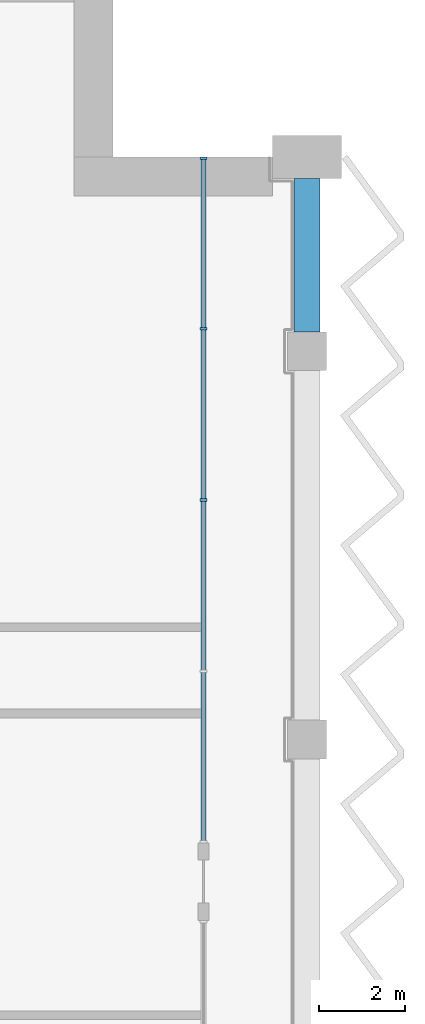
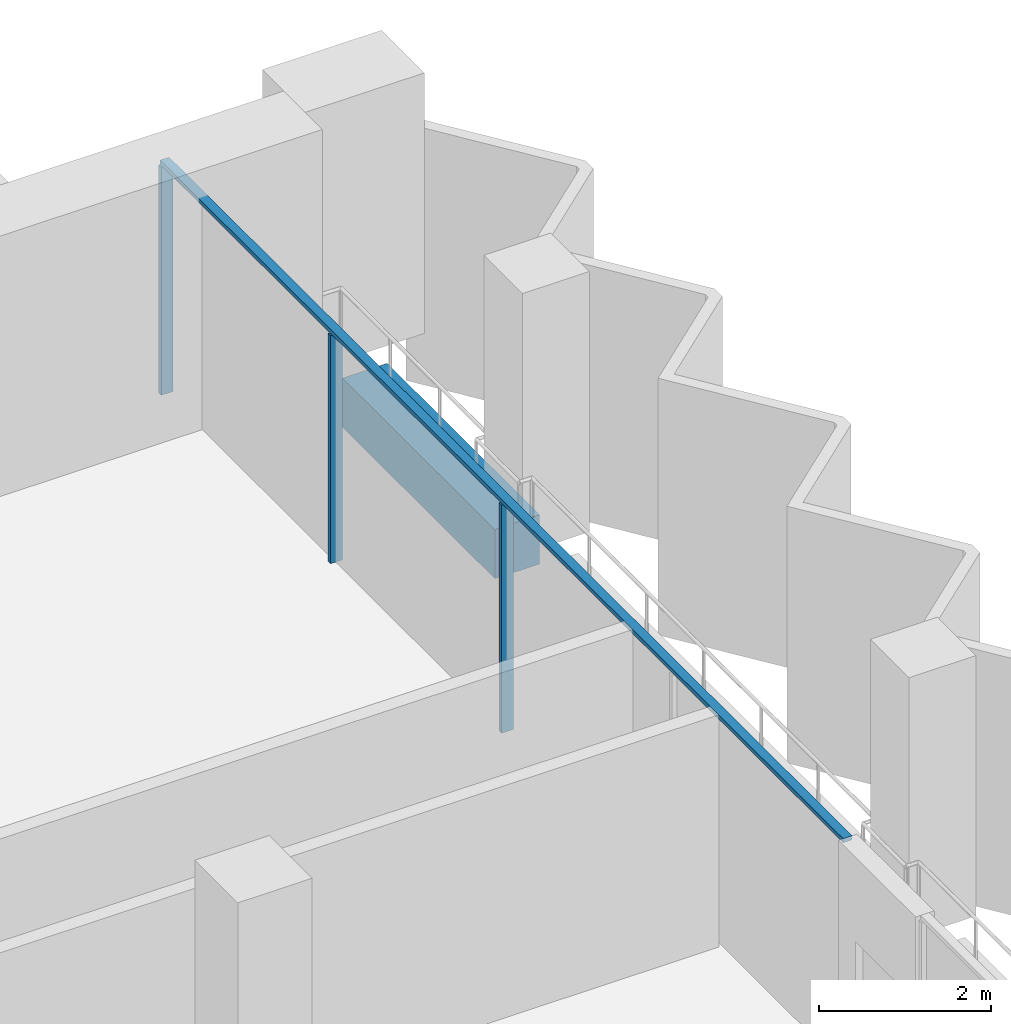
# One storey, part 5 of 16: 4 members, 1 beam, 1 element without a shape of its own.
"""IFC4 building model written with IfcOpenShell, lengths in metres."""

from ifc_helpers import new_model, si_unit, direction, frame, origin, origin_2d, place, context, subcontext, project, spatial, rectangle, extrude, material, material_profile, profile_set, type_object, element, aggregate, save


model = new_model("IFC4")

# Units and contexts
model_context = context("Model", 3, precision=1e-05, world=origin(), true_north=direction((0.0, 1.0)))
body_context = subcontext(model_context, "Body", "Model", "MODEL_VIEW")
ifc_project = project(units=[si_unit("LENGTHUNIT", "METRE"), si_unit("AREAUNIT", "SQUARE_METRE"), si_unit("VOLUMEUNIT", "CUBIC_METRE"), si_unit("PLANEANGLEUNIT", "RADIAN"), si_unit("MASSUNIT", "GRAM", prefix="KILO")], contexts=[model_context])

# Site, building, storey
site_placement = place(None, origin())
site = spatial("IfcSite", under=ifc_project, at=site_placement, CompositionType="ELEMENT")
building_placement = place(site_placement, origin())
building = spatial("IfcBuilding", under=site, at=building_placement, Name="Hunhe Ridgeline Campus", CompositionType="ELEMENT")
storey_placement = place(building_placement, frame((0.0, 0.0, 250.300048828125)))
storey = spatial("IfcBuildingStorey", under=building, at=storey_placement, Name="L64", CompositionType="ELEMENT", Elevation=250.300048828125)

# Curtain wall, members
ifc_material_1 = material(Name="Aluminium 6063", Category="aluminium")
curtain_wall_type = type_object("IfcCurtainWallType", Name="Curtain wall CW-1", PredefinedType="NOTDEFINED", material=ifc_material_1)
curtain_wall_placement = place(storey_placement, origin())
curtain_wall = element("IfcCurtainWall", 1, at=curtain_wall_placement, inside=storey, type_object=curtain_wall_type, Name="Curtain wall 13", PredefinedType="NOTDEFINED")
ifc_material_profile_1 = material_profile(ifc_material_1, rectangle(XDim=0.159912109375, YDim=0.06005859375, at=origin_2d()))
ifc_profile_set_1 = profile_set([ifc_material_profile_1], Name="Aluminium 6063")
member_type_1 = type_object("IfcMemberType", Name="CW-1 aluminium mullion", PredefinedType="MULLION", material=ifc_profile_set_1)
member_1_placement = place(storey_placement, frame((51.59912109375, 86.55029296875, 0.0), z_axis=(0.0, 0.0, 1.0), x_axis=(-1.0, 0.0, 0.0)))
member_1 = element("IfcMember", 2, at=member_1_placement, type_object=member_type_1, Name="CW-1 mullion 3", PredefinedType="MULLION", context=body_context, shape_type="SweptSolid", body=[
    extrude(rectangle(XDim=0.159912109375, YDim=0.06005859375, at=origin_2d()), origin(), (0.0, 0.0, 1.0), 3.239990234375),
])
member_2_placement = place(storey_placement, frame((51.59912109375, 90.525146484375, 0.0), z_axis=(0.0, 0.0, 1.0), x_axis=(-1.0, 0.0, 0.0)))
member_2 = element("IfcMember", 3, at=member_2_placement, type_object=member_type_1, Name="CW-1 mullion 4", PredefinedType="MULLION", context=body_context, shape_type="SweptSolid", body=[
    extrude(rectangle(XDim=0.159912109375, YDim=0.06005859375, at=origin_2d()), origin(), (0.0, 0.0, 1.0), 3.239990234375),
])
member_3_placement = place(storey_placement, frame((51.59912109375, 94.469970703125, 0.0), z_axis=(0.0, 0.0, 1.0), x_axis=(-1.0, 0.0, 0.0)))
member_3 = element("IfcMember", 4, at=member_3_placement, type_object=member_type_1, Name="CW-1 mullion 5", PredefinedType="MULLION", context=body_context, shape_type="SweptSolid", body=[
    extrude(rectangle(XDim=0.159912109375, YDim=0.06005859375, at=origin_2d()), origin(), (0.0, 0.0, 1.0), 3.239990234375),
])
ifc_material_profile_2 = material_profile(ifc_material_1, rectangle(XDim=0.1201171875, YDim=0.06005859375, at=origin_2d()))
ifc_profile_set_2 = profile_set([ifc_material_profile_2], Name="Aluminium 6063")
member_type_2 = type_object("IfcMemberType", Name="CW-1 aluminium transom", PredefinedType="USERDEFINED", material=ifc_profile_set_2)
member_4_placement = place(storey_placement, frame((51.59912109375, 78.6005859375, 3.27001953125), z_axis=(0.0, 1.0, 0.0), x_axis=(-1.0, 0.0, 0.0)))
member_4 = element("IfcMember", 5, at=member_4_placement, type_object=member_type_2, Name="CW-1 transom 1", ObjectType="TRANSOM", PredefinedType="USERDEFINED", context=body_context, shape_type="SweptSolid", body=[
    extrude(rectangle(XDim=0.1201171875, YDim=0.06005859375, at=origin_2d()), origin(), (0.0, 0.0, 1.0), 15.8994140625),
])
aggregate(curtain_wall, [member_4, member_1, member_2, member_3])

# Beam
ifc_material_2 = material(Name="Concrete C50", Category="concrete")
ifc_material_profile_3 = material_profile(ifc_material_2, rectangle(XDim=0.60009765625, YDim=0.699951171875, at=origin_2d()))
ifc_profile_set_3 = profile_set([ifc_material_profile_3], Name="Concrete C50")
beam_type = type_object("IfcBeamType", Name="RC spandrel beam 600x700 Concrete C50", PredefinedType="SPANDREL", material=ifc_profile_set_3)
beam_placement = place(storey_placement, frame((54.0, 90.449951171875, -0.60009765625), z_axis=(0.0, 1.0, 0.0), x_axis=(-1.0, 0.0, 0.0)))
element("IfcBeam", 6, at=beam_placement, inside=storey, type_object=beam_type, Name="Spandrel beam B4-17 L64", PredefinedType="SPANDREL", context=body_context, shape_type="SweptSolid", body=[
    extrude(rectangle(XDim=0.60009765625, YDim=0.699951171875, at=origin_2d()), origin(), (0.0, 0.0, 1.0), 3.550048828125),
])

save(model, "model.ifc")
